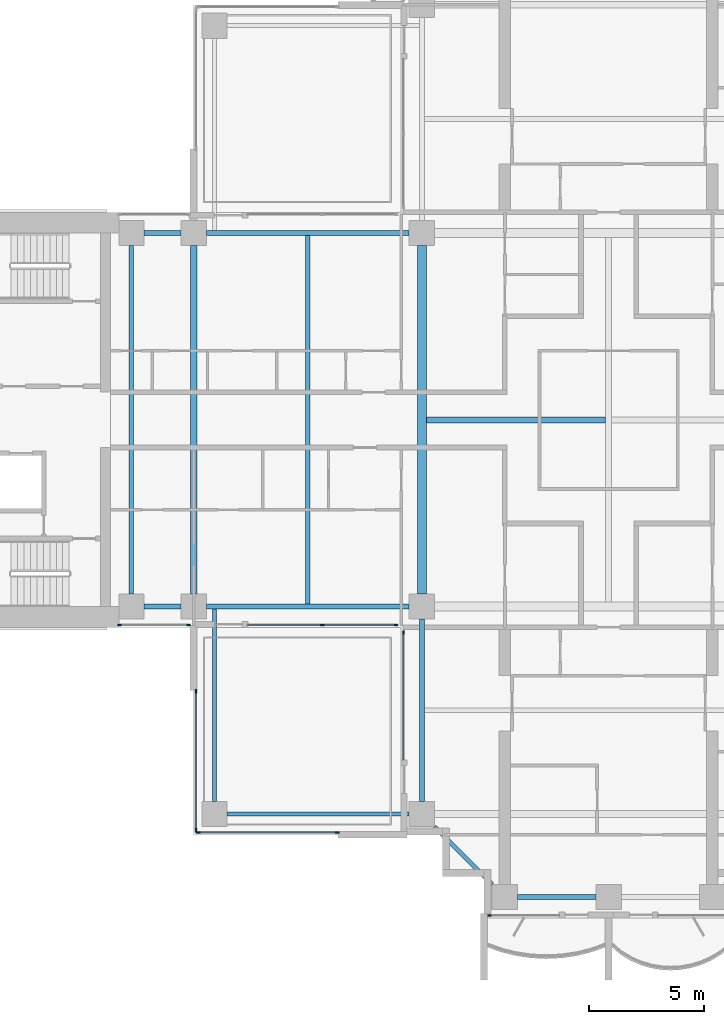
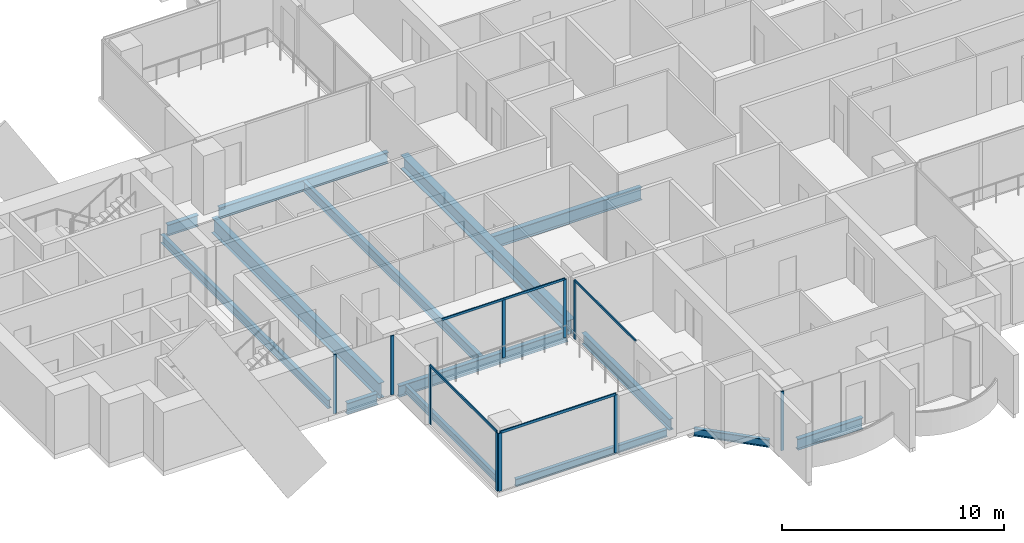
# One storey, part 2 of 19: 14 beams, 14 members, 6 elements without a shape of their own.
"""IFC4 building model written with IfcOpenShell, lengths in metres."""

from ifc_helpers import new_model, si_unit, direction, frame, origin, origin_2d, place, context, subcontext, project, spatial, rectangle, i_section, extrude, material, material_profile, profile_set, type_object, element, aggregate, save


model = new_model("IFC4")

# Units and contexts
model_context = context("Model", 3, precision=1e-05, world=origin(), true_north=direction((0.0, 1.0)))
body_context = subcontext(model_context, "Body", "Model", "MODEL_VIEW")
ifc_project = project(units=[si_unit("LENGTHUNIT", "METRE"), si_unit("AREAUNIT", "SQUARE_METRE"), si_unit("VOLUMEUNIT", "CUBIC_METRE"), si_unit("PLANEANGLEUNIT", "RADIAN"), si_unit("MASSUNIT", "GRAM", prefix="KILO")], contexts=[model_context])

# Site, building, storey
site_placement = place(None, origin())
site = spatial("IfcSite", under=ifc_project, at=site_placement, CompositionType="ELEMENT")
building_placement = place(site_placement, origin())
building = spatial("IfcBuilding", under=site, at=building_placement, Name="Perihelion Cross Residences", CompositionType="ELEMENT")
storey_placement = place(building_placement, frame((0.0, 0.0, 126.89990234375)))
storey = spatial("IfcBuildingStorey", under=building, at=storey_placement, Name="L30", CompositionType="ELEMENT", Elevation=126.89990234375)

# Curtain wall, members
ifc_material_1 = material(Name="Bronze anodised aluminium, tinted glazing", Category="aluminium")
curtain_wall_type_1 = type_object("IfcCurtainWallType", Name="CW1", PredefinedType="NOTDEFINED", material=ifc_material_1)
curtain_wall_1_placement = place(storey_placement, origin())
curtain_wall_1 = element("IfcCurtainWall", 1, at=curtain_wall_1_placement, inside=storey, type_object=curtain_wall_type_1, Name="Curtain wall CW1 L30 west side south bay 1", PredefinedType="NOTDEFINED")
ifc_material_2 = material(Name="Bronze anodised aluminium", Category="aluminium")
ifc_material_profile_1 = material_profile(ifc_material_2, rectangle(XDim=0.06005859375, YDim=0.159912109375, at=origin_2d()), Name="CW1 mullion")
ifc_profile_set_1 = profile_set([ifc_material_profile_1], Name="Bronze anodised aluminium")
member_type_1 = type_object("IfcMemberType", Name="CW1 mullion", PredefinedType="MULLION", material=ifc_profile_set_1)
member_1_placement = place(storey_placement, frame((-21.219970703125, -8.89990234375, 0.0), z_axis=(0.0, 0.0, 1.0), x_axis=(0.0, 1.0, 0.0)))
member_1 = element("IfcMember", 2, at=member_1_placement, type_object=member_type_1, Name="CW1 mullion 1", PredefinedType="MULLION", context=body_context, shape_type="SweptSolid", body=[
    extrude(rectangle(XDim=0.06005859375, YDim=0.159912109375, at=origin_2d()), origin(), (0.0, 0.0, 1.0), 3.25),
])
member_2_placement = place(storey_placement, frame((-18.22998046875, -8.89990234375, 0.0), z_axis=(0.0, 0.0, 1.0), x_axis=(0.0, 1.0, 0.0)))
member_2 = element("IfcMember", 3, at=member_2_placement, type_object=member_type_1, Name="CW1 mullion 2", PredefinedType="MULLION", context=body_context, shape_type="SweptSolid", body=[
    extrude(rectangle(XDim=0.06005859375, YDim=0.159912109375, at=origin_2d()), origin(), (0.0, 0.0, 1.0), 3.25),
])
aggregate(curtain_wall_1, [member_1, member_2])

curtain_wall_2_placement = place(storey_placement, origin())
curtain_wall_2 = element("IfcCurtainWall", 4, at=curtain_wall_2_placement, inside=storey, type_object=curtain_wall_type_1, Name="Curtain wall CW1 L30 west side south bay 2", PredefinedType="NOTDEFINED")
member_3_placement = place(storey_placement, frame((-12.425048828125, -8.89990234375, 0.0), z_axis=(0.0, 0.0, 1.0), x_axis=(0.0, 1.0, 0.0)))
member_3 = element("IfcMember", 5, at=member_3_placement, type_object=member_type_1, Name="CW1 mullion 2", PredefinedType="MULLION", context=body_context, shape_type="SweptSolid", body=[
    extrude(rectangle(XDim=0.06005859375, YDim=0.159912109375, at=origin_2d()), origin(), (0.0, 0.0, 1.0), 3.190185546875),
])
member_4_placement = place(storey_placement, frame((-9.22998046875, -8.89990234375, 0.0), z_axis=(0.0, 0.0, 1.0), x_axis=(0.0, 1.0, 0.0)))
member_4 = element("IfcMember", 6, at=member_4_placement, type_object=member_type_1, Name="CW1 mullion 3", PredefinedType="MULLION", context=body_context, shape_type="SweptSolid", body=[
    extrude(rectangle(XDim=0.06005859375, YDim=0.159912109375, at=origin_2d()), origin(), (0.0, 0.0, 1.0), 3.190185546875),
])

# Curtain wall, member
curtain_wall_3_placement = place(storey_placement, origin())
curtain_wall_3 = element("IfcCurtainWall", 7, at=curtain_wall_3_placement, inside=storey, type_object=curtain_wall_type_1, Name="Curtain wall CW1 L30 south side west bay 1", PredefinedType="NOTDEFINED")
member_5_placement = place(storey_placement, frame((-8.89990234375, -9.22998046875, 0.0), z_axis=(0.0, 0.0, 1.0), x_axis=(1.0, 0.0, 0.0)))
member_5 = element("IfcMember", 8, at=member_5_placement, type_object=member_type_1, Name="CW1 mullion 1", PredefinedType="MULLION", context=body_context, shape_type="SweptSolid", body=[
    extrude(rectangle(XDim=0.06005859375, YDim=0.159912109375, at=origin_2d()), origin(), (0.0, 0.0, 1.0), 3.190185546875),
])

curtain_wall_4_placement = place(storey_placement, origin())
curtain_wall_4 = element("IfcCurtainWall", 9, at=curtain_wall_4_placement, inside=storey, type_object=curtain_wall_type_1, Name="Curtain wall CW1 L30 south tip south bay 1", PredefinedType="NOTDEFINED")
member_6_placement = place(storey_placement, frame((-5.169921875, -21.5, 0.0), z_axis=(0.0, 0.0, 1.0), x_axis=(0.0, 1.0, 0.0)))
member_6 = element("IfcMember", 10, at=member_6_placement, type_object=member_type_1, Name="CW1 mullion 1", PredefinedType="MULLION", context=body_context, shape_type="SweptSolid", body=[
    extrude(rectangle(XDim=0.06005859375, YDim=0.159912109375, at=origin_2d()), origin(), (0.0, 0.0, 1.0), 3.25),
])
aggregate(curtain_wall_4, [member_6])

# Member
ifc_material_3 = material(Name="Bronze anodised aluminium", Category="aluminium")
ifc_material_profile_2 = material_profile(ifc_material_3, rectangle(XDim=0.06005859375, YDim=0.1201171875, at=origin_2d()), Name="CW1 transom")
ifc_profile_set_2 = profile_set([ifc_material_profile_2], Name="Bronze anodised aluminium")
member_type_2 = type_object("IfcMemberType", Name="CW1 transom", PredefinedType="USERDEFINED", material=ifc_profile_set_2)
member_7_placement = place(storey_placement, frame((-15.64990234375, -8.89990234375, 3.22021484375), z_axis=(1.0, 0.0, 0.0), x_axis=(0.0, 1.0, 0.0)))
member_7 = element("IfcMember", 11, at=member_7_placement, type_object=member_type_2, Name="CW1 head transom", ObjectType="TRANSOM", PredefinedType="USERDEFINED", context=body_context, shape_type="SweptSolid", body=[
    extrude(rectangle(XDim=0.06005859375, YDim=0.1201171875, at=origin_2d()), origin(), (0.0, 0.0, 1.0), 6.419921875),
])

aggregate(curtain_wall_2, [member_3, member_4, member_7])

member_8_placement = place(storey_placement, frame((-8.89990234375, -9.22998046875, 3.22021484375), z_axis=(0.0, -1.0, 0.0), x_axis=(1.0, 0.0, 0.0)))
member_8 = element("IfcMember", 12, at=member_8_placement, type_object=member_type_2, Name="CW1 head transom", ObjectType="TRANSOM", PredefinedType="USERDEFINED", context=body_context, shape_type="SweptSolid", body=[
    extrude(rectangle(XDim=0.06005859375, YDim=0.1201171875, at=origin_2d()), origin(), (0.0, 0.0, 1.0), 5.52001953125),
])

aggregate(curtain_wall_3, [member_5, member_8])

# Curtain wall, members
ifc_material_4 = material(Name="Bronze anodised aluminium, tinted glazing", Category="aluminium")
curtain_wall_type_2 = type_object("IfcCurtainWallType", Name="CW4", PredefinedType="NOTDEFINED", material=ifc_material_4)
curtain_wall_5_placement = place(storey_placement, origin())
curtain_wall_5 = element("IfcCurtainWall", 13, at=curtain_wall_5_placement, inside=storey, type_object=curtain_wall_type_2, Name="Curtain wall CW4 L30 pocket south-west 1 1", PredefinedType="NOTDEFINED")
ifc_material_5 = material(Name="Bronze anodised aluminium", Category="aluminium")
ifc_material_profile_3 = material_profile(ifc_material_5, rectangle(XDim=0.06005859375, YDim=0.179931640625, at=origin_2d()), Name="CW4 mullion")
ifc_profile_set_3 = profile_set([ifc_material_profile_3], Name="Bronze anodised aluminium")
member_type_3 = type_object("IfcMemberType", Name="CW4 mullion", PredefinedType="MULLION", material=ifc_profile_set_3)
member_9_placement = place(storey_placement, frame((-11.77001953125, -17.89990234375, 0.0), z_axis=(0.0, 0.0, 1.0), x_axis=(0.0, -1.0, 0.0)))
member_9 = element("IfcMember", 14, at=member_9_placement, type_object=member_type_3, Name="CW4 mullion 1", PredefinedType="MULLION", context=body_context, shape_type="SweptSolid", body=[
    extrude(rectangle(XDim=0.06005859375, YDim=0.179931640625, at=origin_2d()), origin(), (0.0, 0.0, 1.0), 3.190185546875),
])
member_10_placement = place(storey_placement, frame((-17.800048828125, -17.89990234375, 0.0), z_axis=(0.0, 0.0, 1.0), x_axis=(0.0, -1.0, 0.0)))
member_10 = element("IfcMember", 15, at=member_10_placement, type_object=member_type_3, Name="CW4 mullion 2", PredefinedType="MULLION", context=body_context, shape_type="SweptSolid", body=[
    extrude(rectangle(XDim=0.06005859375, YDim=0.179931640625, at=origin_2d()), origin(), (0.0, 0.0, 1.0), 3.190185546875),
])

curtain_wall_6_placement = place(storey_placement, origin())
curtain_wall_6 = element("IfcCurtainWall", 16, at=curtain_wall_6_placement, inside=storey, type_object=curtain_wall_type_2, Name="Curtain wall CW4 L30 pocket south-west 1 2", PredefinedType="NOTDEFINED")
member_11_placement = place(storey_placement, frame((-17.89990234375, -17.800048828125, 0.0), z_axis=(0.0, 0.0, 1.0), x_axis=(-1.0, 0.0, 0.0)))
member_11 = element("IfcMember", 17, at=member_11_placement, type_object=member_type_3, Name="CW4 mullion 1", PredefinedType="MULLION", context=body_context, shape_type="SweptSolid", body=[
    extrude(rectangle(XDim=0.06005859375, YDim=0.179931640625, at=origin_2d()), origin(), (0.0, 0.0, 1.0), 3.190185546875),
])
member_12_placement = place(storey_placement, frame((-17.89990234375, -11.77001953125, 0.0), z_axis=(0.0, 0.0, 1.0), x_axis=(-1.0, 0.0, 0.0)))
member_12 = element("IfcMember", 18, at=member_12_placement, type_object=member_type_3, Name="CW4 mullion 2", PredefinedType="MULLION", context=body_context, shape_type="SweptSolid", body=[
    extrude(rectangle(XDim=0.06005859375, YDim=0.179931640625, at=origin_2d()), origin(), (0.0, 0.0, 1.0), 3.190185546875),
])

# Member
ifc_material_6 = material(Name="Bronze anodised aluminium", Category="aluminium")
ifc_material_profile_4 = material_profile(ifc_material_6, rectangle(XDim=0.06005859375, YDim=0.139892578125, at=origin_2d()), Name="CW4 transom")
ifc_profile_set_4 = profile_set([ifc_material_profile_4], Name="Bronze anodised aluminium")
member_type_4 = type_object("IfcMemberType", Name="CW4 transom", PredefinedType="USERDEFINED", material=ifc_profile_set_4)
member_13_placement = place(storey_placement, frame((-11.77001953125, -17.89990234375, 3.22021484375), z_axis=(-1.0, 0.0, 0.0), x_axis=(0.0, -1.0, 0.0)))
member_13 = element("IfcMember", 19, at=member_13_placement, type_object=member_type_4, Name="CW4 head transom", ObjectType="TRANSOM", PredefinedType="USERDEFINED", context=body_context, shape_type="SweptSolid", body=[
    extrude(rectangle(XDim=0.06005859375, YDim=0.139892578125, at=origin_2d()), origin(), (0.0, 0.0, 1.0), 6.030029296875),
])

aggregate(curtain_wall_5, [member_9, member_10, member_13])

member_14_placement = place(storey_placement, frame((-17.89990234375, -17.800048828125, 3.22021484375), z_axis=(0.0, 1.0, 0.0), x_axis=(-1.0, 0.0, 0.0)))
member_14 = element("IfcMember", 20, at=member_14_placement, type_object=member_type_4, Name="CW4 head transom", ObjectType="TRANSOM", PredefinedType="USERDEFINED", context=body_context, shape_type="SweptSolid", body=[
    extrude(rectangle(XDim=0.06005859375, YDim=0.139892578125, at=origin_2d()), origin(), (0.0, 0.0, 1.0), 6.030029296875),
])

aggregate(curtain_wall_6, [member_11, member_12, member_14])

# Beams
ifc_material_7 = material(Name="Steel S355", Category="steel")
ifc_material_profile_5 = material_profile(ifc_material_7, i_section(OverallWidth=0.177978515625, OverallDepth=0.406005859375, WebThickness=0.0078125, FlangeThickness=0.0126953125, at=origin_2d()), Name="W410x60")
ifc_profile_set_5 = profile_set([ifc_material_profile_5], Name="Steel S355")
beam_type_1 = type_object("IfcBeamType", Name="Core edge beam W410x60", PredefinedType="BEAM", material=ifc_profile_set_5)
beam_1_placement = place(storey_placement, frame((-17.10009765625, -8.214599609375, -0.452880859375), z_axis=(0.0, -1.0, 0.0), x_axis=(1.0, 0.0, 0.0)))
element("IfcBeam", 21, at=beam_1_placement, inside=storey, type_object=beam_type_1, Name="Core edge beam TB2 L30 corner no. 1", PredefinedType="BEAM", context=body_context, shape_type="SweptSolid", body=[
    extrude(i_section(OverallWidth=0.177978515625, OverallDepth=0.406005859375, WebThickness=0.0078125, FlangeThickness=0.0126953125, at=origin_2d()), origin(), (0.0, 0.0, 1.0), 8.33544921875),
])
beam_2_placement = place(storey_placement, frame((-8.64990234375, -17.10009765625, -0.452880859375), z_axis=(-1.0, 0.0, 0.0), x_axis=(0.0, -1.0, 0.0)))
element("IfcBeam", 22, at=beam_2_placement, inside=storey, type_object=beam_type_1, Name="Core edge beam TB2 L30 corner no. 2", PredefinedType="BEAM", context=body_context, shape_type="SweptSolid", body=[
    extrude(i_section(OverallWidth=0.177978515625, OverallDepth=0.406005859375, WebThickness=0.0078125, FlangeThickness=0.0126953125, at=origin_2d()), origin(), (0.0, 0.0, 1.0), 7.900146484375),
])
ifc_material_8 = material(Name="Steel S355", Category="steel")
ifc_material_profile_6 = material_profile(ifc_material_8, i_section(OverallWidth=0.194091796875, OverallDepth=0.469970703125, WebThickness=0.0126953125, FlangeThickness=0.0205078125, at=origin_2d()), Name="W460x106")
ifc_profile_set_6 = profile_set([ifc_material_profile_6], Name="Steel S355")
beam_type_2 = type_object("IfcBeamType", Name="Core edge beam W460x106", PredefinedType="BEAM", material=ifc_profile_set_6)
beam_3_placement = place(storey_placement, frame((-20.699951171875, -7.550048828125, -0.48486328125), z_axis=(0.0, 1.0, 0.0), x_axis=(-1.0, 0.0, 0.0)))
element("IfcBeam", 23, at=beam_3_placement, inside=storey, type_object=beam_type_2, Name="Core edge beam TB5 L30 no. 1", PredefinedType="BEAM", context=body_context, shape_type="SweptSolid", body=[
    extrude(i_section(OverallWidth=0.194091796875, OverallDepth=0.469970703125, WebThickness=0.0126953125, FlangeThickness=0.0205078125, at=origin_2d()), origin(), (0.0, 0.0, 1.0), 15.10009765625),
])
ifc_material_9 = material(Name="Steel S355", Category="steel")
ifc_material_profile_7 = material_profile(ifc_material_9, i_section(OverallWidth=0.22900390625, OverallDepth=0.612060546875, WebThickness=0.011962890625, FlangeThickness=0.01953125, at=origin_2d()), Name="W610x125")
ifc_profile_set_7 = profile_set([ifc_material_profile_7], Name="Steel S355")
beam_type_3 = type_object("IfcBeamType", Name="Edge beam W610x125", PredefinedType="SPANDREL", material=ifc_profile_set_7)
beam_4_placement = place(storey_placement, frame((-8.64990234375, 8.10009765625, -0.555908203125), z_axis=(-1.0, 0.0, 0.0), x_axis=(0.0, -1.0, 0.0)))
element("IfcBeam", 24, at=beam_4_placement, inside=storey, type_object=beam_type_3, Name="Edge beam SB3 L30 no. 8", PredefinedType="SPANDREL", context=body_context, shape_type="SweptSolid", body=[
    extrude(i_section(OverallWidth=0.22900390625, OverallDepth=0.612060546875, WebThickness=0.011962890625, FlangeThickness=0.01953125, at=origin_2d()), origin(), (0.0, 0.0, 1.0), 8.800048828125),
])
for number, where, z_axis, x_axis, name in (
    (25, (-18.550048828125, 8.10009765625, -0.555908203125), (-1.0, 0.0, 0.0), (0.0, -1.0, 0.0), "Edge beam SB3 L30 no. 2"),
    (26, (-20.14990234375, -8.10009765625, -0.555908203125), (1.0, 0.0, 0.0), (0.0, 1.0, 0.0), "Edge beam SB3 L30 no. 3"),
):
    element("IfcBeam", number, at=place(storey_placement, frame(where, z_axis=z_axis, x_axis=x_axis)), inside=storey, type_object=beam_type_3, Name=name, PredefinedType="SPANDREL", context=body_context, shape_type="SweptSolid", body=[
        extrude(i_section(OverallWidth=0.22900390625, OverallDepth=0.612060546875, WebThickness=0.011962890625, FlangeThickness=0.01953125, at=origin_2d()), origin(), (0.0, 0.0, 1.0), 1.599853515625),
    ])
beam_5_placement = place(storey_placement, frame((-17.449951171875, -8.10009765625, -0.555908203125), z_axis=(1.0, 0.0, 0.0), x_axis=(0.0, 1.0, 0.0)))
element("IfcBeam", 27, at=beam_5_placement, inside=storey, type_object=beam_type_3, Name="Edge beam SB3 L30 no. 1", PredefinedType="SPANDREL", context=body_context, shape_type="SweptSolid", body=[
    extrude(i_section(OverallWidth=0.22900390625, OverallDepth=0.612060546875, WebThickness=0.011962890625, FlangeThickness=0.01953125, at=origin_2d()), origin(), (0.0, 0.0, 1.0), 8.800048828125),
])
beam_6_placement = place(storey_placement, frame((-8.10009765625, -8.64990234375, -0.555908203125), z_axis=(0.0, -1.0, 0.0), x_axis=(1.0, 0.0, 0.0)))
element("IfcBeam", 28, at=beam_6_placement, inside=storey, type_object=beam_type_3, Name="Edge beam SB3 L30 no. 5", PredefinedType="SPANDREL", context=body_context, shape_type="SweptSolid", body=[
    extrude(i_section(OverallWidth=0.22900390625, OverallDepth=0.612060546875, WebThickness=0.011962890625, FlangeThickness=0.01953125, at=origin_2d()), origin(), (0.0, 0.0, 1.0), 7.900146484375),
])
beam_7_placement = place(storey_placement, frame((-3.949951171875, -20.699951171875, -0.555908203125), z_axis=(1.0, 0.0, 0.0), x_axis=(0.0, 1.0, 0.0)))
element("IfcBeam", 29, at=beam_7_placement, inside=storey, type_object=beam_type_3, Name="Edge beam SB3 L30 no. 4", PredefinedType="SPANDREL", context=body_context, shape_type="SweptSolid", body=[
    extrude(i_section(OverallWidth=0.22900390625, OverallDepth=0.612060546875, WebThickness=0.011962890625, FlangeThickness=0.01953125, at=origin_2d()), origin(), (0.0, 0.0, 1.0), 3.39990234375),
])
ifc_material_10 = material(Name="Steel S355", Category="steel")
ifc_material_profile_8 = material_profile(ifc_material_10, i_section(OverallWidth=0.2919921875, OverallDepth=0.8359375, WebThickness=0.013916015625, FlangeThickness=0.018798828125, at=origin_2d()), Name="W840x176")
ifc_profile_set_8 = profile_set([ifc_material_profile_8], Name="Steel S355")
beam_type_4 = type_object("IfcBeamType", Name="Floor girder W840x176", PredefinedType="BEAM", material=ifc_profile_set_8)
beam_8_placement = place(storey_placement, frame((-18.0, -7.550048828125, -0.66796875), z_axis=(0.0, 1.0, 0.0), x_axis=(-1.0, 0.0, 0.0)))
element("IfcBeam", 30, at=beam_8_placement, inside=storey, type_object=beam_type_4, Name="Girder G3 L30 no. 1", PredefinedType="BEAM", context=body_context, shape_type="SweptSolid", body=[
    extrude(i_section(OverallWidth=0.2919921875, OverallDepth=0.8359375, WebThickness=0.013916015625, FlangeThickness=0.018798828125, at=origin_2d()), origin(), (0.0, 0.0, 1.0), 15.10009765625),
])
ifc_material_11 = material(Name="Steel S355", Category="steel")
ifc_material_profile_9 = material_profile(ifc_material_11, i_section(OverallWidth=0.208984375, OverallDepth=0.532958984375, WebThickness=0.01025390625, FlangeThickness=0.015625, at=origin_2d()), Name="W530x92")
ifc_profile_set_9 = profile_set([ifc_material_profile_9], Name="Steel S355")
beam_type_5 = type_object("IfcBeamType", Name="Floor joist W530x92", PredefinedType="JOIST", material=ifc_profile_set_9)
beam_9_placement = place(storey_placement, frame((-13.050048828125, -7.985595703125, -0.516357421875), z_axis=(0.0, 1.0, 0.0), x_axis=(-1.0, 0.0, 0.0)))
element("IfcBeam", 31, at=beam_9_placement, inside=storey, type_object=beam_type_5, Name="Joist J4 L30 no. 1", PredefinedType="JOIST", context=body_context, shape_type="SweptSolid", body=[
    extrude(i_section(OverallWidth=0.208984375, OverallDepth=0.532958984375, WebThickness=0.01025390625, FlangeThickness=0.015625, at=origin_2d()), origin(), (0.0, 0.0, 1.0), 15.97119140625),
])
ifc_material_12 = material(Name="Steel S355", Category="steel")
ifc_material_profile_10 = material_profile(ifc_material_12, i_section(OverallWidth=0.257080078125, OverallDepth=0.693115234375, WebThickness=0.014404296875, FlangeThickness=0.023681640625, at=origin_2d()), Name="W690x170")
ifc_profile_set_10 = profile_set([ifc_material_profile_10], Name="Steel S355")
beam_type_6 = type_object("IfcBeamType", Name="Hub cross beam W690x170", PredefinedType="BEAM", material=ifc_profile_set_10)
beam_10_placement = place(storey_placement, frame((-7.909423828125, 0.0, -0.596435546875), z_axis=(1.0, 0.0, 0.0), x_axis=(0.0, 1.0, 0.0)))
element("IfcBeam", 32, at=beam_10_placement, inside=storey, type_object=beam_type_6, Name="Hub cross beam XB3 L30 1 no. 1", PredefinedType="BEAM", context=body_context, shape_type="SweptSolid", body=[
    extrude(i_section(OverallWidth=0.257080078125, OverallDepth=0.693115234375, WebThickness=0.014404296875, FlangeThickness=0.023681640625, at=origin_2d()), origin(), (0.0, 0.0, 1.0), 7.781005859375),
])
ifc_material_13 = material(Name="Steel S355", Category="steel")
ifc_material_profile_11 = material_profile(ifc_material_13, i_section(OverallWidth=0.381103515625, OverallDepth=0.77197265625, WebThickness=0.0166015625, FlangeThickness=0.027099609375, at=origin_2d()), Name="W760x257")
ifc_profile_set_11 = profile_set([ifc_material_profile_11], Name="Steel S355")
beam_type_7 = type_object("IfcBeamType", Name="Hub ring girder W760x257", PredefinedType="BEAM", material=ifc_profile_set_11)
beam_11_placement = place(storey_placement, frame((-8.10009765625, 7.550048828125, -0.635986328125), z_axis=(0.0, -1.0, 0.0), x_axis=(1.0, 0.0, 0.0)))
element("IfcBeam", 33, at=beam_11_placement, inside=storey, type_object=beam_type_7, Name="Hub ring girder RG3 L30 no. 2", PredefinedType="BEAM", context=body_context, shape_type="SweptSolid", body=[
    extrude(i_section(OverallWidth=0.381103515625, OverallDepth=0.77197265625, WebThickness=0.0166015625, FlangeThickness=0.027099609375, at=origin_2d()), origin(), (0.0, 0.0, 1.0), 15.10009765625),
])
ifc_material_14 = material(Name="Steel S355", Category="steel")
ifc_material_profile_12 = material_profile(ifc_material_14, i_section(OverallWidth=0.180908203125, OverallDepth=0.4169921875, WebThickness=0.010986328125, FlangeThickness=0.018310546875, at=origin_2d()), Name="W410x85")
ifc_profile_set_12 = profile_set([ifc_material_profile_12], Name="Steel S355")
beam_type_8 = type_object("IfcBeamType", Name="Serration edge beam W410x85", PredefinedType="BEAM", material=ifc_profile_set_12)
beam_12_placement = place(storey_placement, frame((-7.550048828125, -17.64990234375, -0.45849609375), z_axis=(0.707106781187, -0.707106781187, 0.0), x_axis=(0.707106781187, 0.707106781187, 0.0)))
element("IfcBeam", 34, at=beam_12_placement, inside=storey, type_object=beam_type_8, Name="Serration edge beam EB3 L30 no. 2", PredefinedType="BEAM", context=body_context, shape_type="SweptSolid", body=[
    extrude(i_section(OverallWidth=0.180908203125, OverallDepth=0.4169921875, WebThickness=0.010986328125, FlangeThickness=0.018310546875, at=origin_2d()), origin(), (0.0, 0.0, 1.0), 3.53564453125),
])

save(model, "model.ifc")
